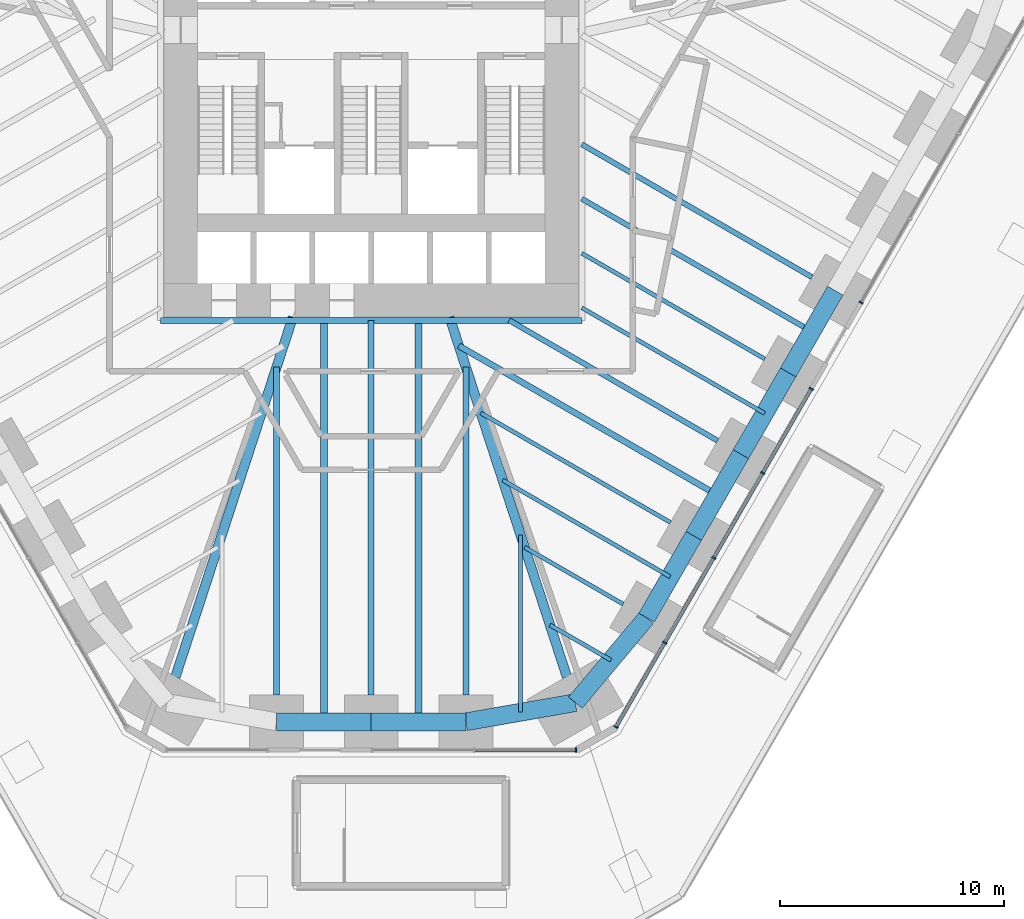
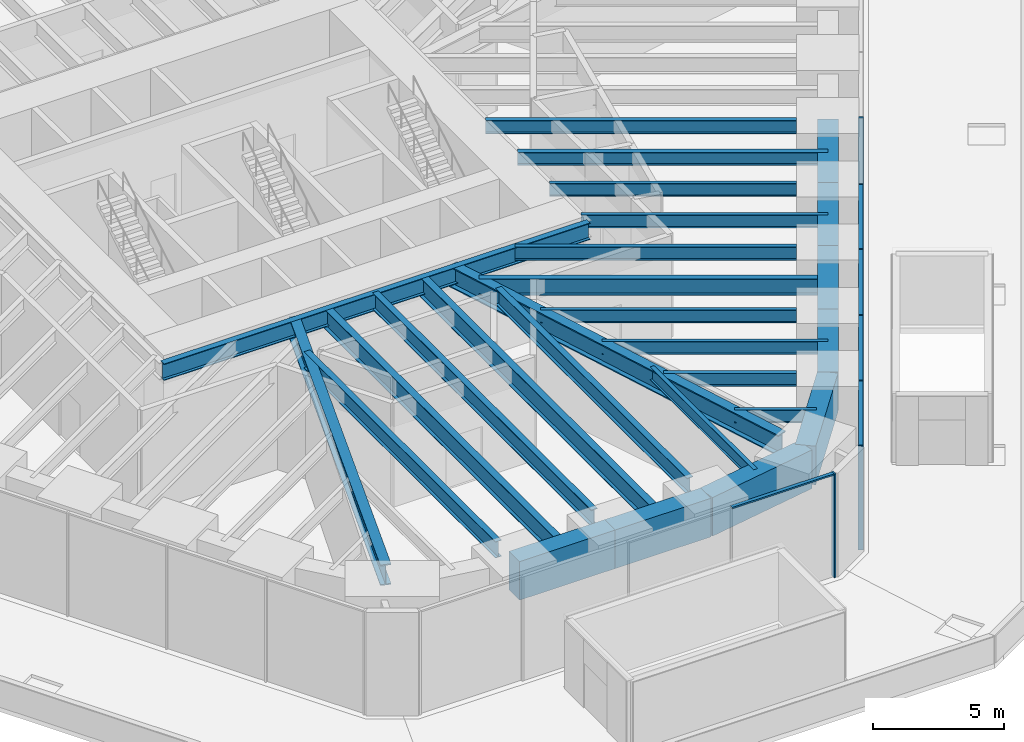
# One storey, part 3 of 20: 27 beams, 12 members, 3 elements without a shape of their own.
"""IFC4 building model written with IfcOpenShell, lengths in metres."""

from ifc_helpers import new_model, si_unit, direction, frame, origin, origin_2d, place, context, subcontext, project, spatial, rectangle, i_section, extrude, material, material_profile, profile_set, type_object, element, aggregate, save


model = new_model("IFC4")

# Units and contexts
model_context = context("Model", 3, precision=1e-05, world=origin(), true_north=direction((0.0, 1.0)))
body_context = subcontext(model_context, "Body", "Model", "MODEL_VIEW")
ifc_project = project(units=[si_unit("LENGTHUNIT", "METRE"), si_unit("AREAUNIT", "SQUARE_METRE"), si_unit("VOLUMEUNIT", "CUBIC_METRE"), si_unit("PLANEANGLEUNIT", "RADIAN"), si_unit("MASSUNIT", "GRAM", prefix="KILO")], contexts=[model_context])

# Site, building, storey
site_placement = place(None, origin())
site = spatial("IfcSite", under=ifc_project, at=site_placement, CompositionType="ELEMENT")
building_placement = place(site_placement, origin())
building = spatial("IfcBuilding", under=site, at=building_placement, Name="Sandreach Pilgrim Tower", CompositionType="ELEMENT")
storey_placement = place(building_placement, frame((0.0, 0.0, 18.0)))
storey = spatial("IfcBuildingStorey", under=building, at=storey_placement, Name="L03", CompositionType="ELEMENT", Elevation=18.0)

# Curtain wall, member
ifc_material_1 = material(Name="Aluminium framed curtain wall", Category="aluminium")
curtain_wall_type = type_object("IfcCurtainWallType", Name="Podium storefront curtain wall", PredefinedType="NOTDEFINED", material=ifc_material_1)
curtain_wall_1_placement = place(storey_placement, origin())
curtain_wall_1 = element("IfcCurtainWall", 1, at=curtain_wall_1_placement, inside=storey, type_object=curtain_wall_type, Name="CW-P L03 SEA", PredefinedType="NOTDEFINED")
ifc_material_2 = material(Name="Aluminium extrusion", Category="aluminium")
ifc_material_profile_1 = material_profile(ifc_material_2, rectangle(XDim=0.070068359375, YDim=0.199951171875, at=origin_2d()), Name="CW-PM 70X200")
ifc_profile_set_1 = profile_set([ifc_material_profile_1], Name="Aluminium extrusion")
member_type_1 = type_object("IfcMemberType", Name="CW-P mullion", PredefinedType="MULLION", material=ifc_profile_set_1)
member_1_placement = place(storey_placement, frame((21.8505859375, -10.051025390625, 0.0), z_axis=(0.0, 0.0, 1.0), x_axis=(-0.5, -0.866025403784, 0.0)))
member_1 = element("IfcMember", 2, at=member_1_placement, type_object=member_type_1, Name="CW-P mullion 5", PredefinedType="MULLION", context=body_context, shape_type="SweptSolid", body=[
    extrude(rectangle(XDim=0.070068359375, YDim=0.199951171875, at=origin_2d()), origin(), (0.0, 0.0, 1.0), 4.840087890625),
])
aggregate(curtain_wall_1, [member_1])

# Curtain wall, members
curtain_wall_2_placement = place(storey_placement, origin())
curtain_wall_2 = element("IfcCurtainWall", 3, at=curtain_wall_2_placement, inside=storey, type_object=curtain_wall_type, Name="CW-P L03 SEB", PredefinedType="NOTDEFINED")
member_2_placement = place(storey_placement, frame((19.6298828125, -13.897705078125, 0.0), z_axis=(0.0, 0.0, 1.0), x_axis=(-0.5, -0.866025403784, 0.0)))
member_2 = element("IfcMember", 4, at=member_2_placement, type_object=member_type_1, Name="CW-P mullion 1", PredefinedType="MULLION", context=body_context, shape_type="SweptSolid", body=[
    extrude(rectangle(XDim=0.070068359375, YDim=0.199951171875, at=origin_2d()), origin(), (0.0, 0.0, 1.0), 4.840087890625),
])
member_3_placement = place(storey_placement, frame((17.46142578125, -17.6533203125, 0.0), z_axis=(0.0, 0.0, 1.0), x_axis=(-0.5, -0.866025403784, 0.0)))
member_3 = element("IfcMember", 5, at=member_3_placement, type_object=member_type_1, Name="CW-P mullion 2", PredefinedType="MULLION", context=body_context, shape_type="SweptSolid", body=[
    extrude(rectangle(XDim=0.070068359375, YDim=0.199951171875, at=origin_2d()), origin(), (0.0, 0.0, 1.0), 4.840087890625),
])
member_4_placement = place(storey_placement, frame((15.275634765625, -21.439208984375, 0.0), z_axis=(0.0, 0.0, 1.0), x_axis=(-0.5, -0.866025403784, 0.0)))
member_4 = element("IfcMember", 6, at=member_4_placement, type_object=member_type_1, Name="CW-P mullion 3", PredefinedType="MULLION", context=body_context, shape_type="SweptSolid", body=[
    extrude(rectangle(XDim=0.070068359375, YDim=0.199951171875, at=origin_2d()), origin(), (0.0, 0.0, 1.0), 4.840087890625),
])
member_5_placement = place(storey_placement, frame((13.08984375, -25.22509765625, 0.0), z_axis=(0.0, 0.0, 1.0), x_axis=(-0.5, -0.866025403784, 0.0)))
member_5 = element("IfcMember", 7, at=member_5_placement, type_object=member_type_1, Name="CW-P mullion 4", PredefinedType="MULLION", context=body_context, shape_type="SweptSolid", body=[
    extrude(rectangle(XDim=0.070068359375, YDim=0.199951171875, at=origin_2d()), origin(), (0.0, 0.0, 1.0), 4.840087890625),
])
member_6_placement = place(storey_placement, frame((10.921630859375, -28.98046875, 0.0), z_axis=(0.0, 0.0, 1.0), x_axis=(-0.5, -0.866025403784, 0.0)))
member_6 = element("IfcMember", 8, at=member_6_placement, type_object=member_type_1, Name="CW-P mullion 5", PredefinedType="MULLION", context=body_context, shape_type="SweptSolid", body=[
    extrude(rectangle(XDim=0.070068359375, YDim=0.199951171875, at=origin_2d()), origin(), (0.0, 0.0, 1.0), 4.840087890625),
])

# Curtain wall, member
curtain_wall_3_placement = place(storey_placement, origin())
curtain_wall_3 = element("IfcCurtainWall", 9, at=curtain_wall_3_placement, inside=storey, type_object=curtain_wall_type, Name="CW-P L03 SA", PredefinedType="NOTDEFINED")
member_7_placement = place(storey_placement, frame((9.13720703125, -30.010986328125, 0.0), z_axis=(0.0, 0.0, 1.0), x_axis=(-1.0, 0.0, 0.0)))
member_7 = element("IfcMember", 10, at=member_7_placement, type_object=member_type_1, Name="CW-P mullion 1", PredefinedType="MULLION", context=body_context, shape_type="SweptSolid", body=[
    extrude(rectangle(XDim=0.070068359375, YDim=0.199951171875, at=origin_2d()), origin(), (0.0, 0.0, 1.0), 4.840087890625),
])

# Member
ifc_material_3 = material(Name="Aluminium extrusion", Category="aluminium")
ifc_material_profile_2 = material_profile(ifc_material_3, rectangle(XDim=0.159912109375, YDim=0.070068359375, at=origin_2d()), Name="CW-PT 160X70")
ifc_profile_set_2 = profile_set([ifc_material_profile_2], Name="Aluminium extrusion")
member_type_2 = type_object("IfcMemberType", Name="CW-P transom", PredefinedType="USERDEFINED", material=ifc_profile_set_2)
member_8_placement = place(storey_placement, frame((19.6123046875, -13.927978515625, 4.804931640625), z_axis=(-0.500016352561, -0.866015962423, 0.0), x_axis=(0.866015962423, -0.500016352561, 0.0)))
member_8 = element("IfcMember", 11, at=member_8_placement, type_object=member_type_2, Name="CW-P head transom 1", ObjectType="TRANSOM", PredefinedType="USERDEFINED", context=body_context, shape_type="SweptSolid", body=[
    extrude(rectangle(XDim=0.159912109375, YDim=0.070068359375, at=origin_2d()), origin(), (0.0, 0.0, 1.0), 4.266357421875),
])

member_9_placement = place(storey_placement, frame((17.444091796875, -17.68359375, 4.804931640625), z_axis=(-0.500033611107, -0.866005997533, 0.0), x_axis=(0.866005997533, -0.500033611107, 0.0)))
member_9 = element("IfcMember", 12, at=member_9_placement, type_object=member_type_2, Name="CW-P head transom 2", ObjectType="TRANSOM", PredefinedType="USERDEFINED", context=body_context, shape_type="SweptSolid", body=[
    extrude(rectangle(XDim=0.159912109375, YDim=0.070068359375, at=origin_2d()), origin(), (0.0, 0.0, 1.0), 4.301513671875),
])

member_10_placement = place(storey_placement, frame((15.25830078125, -21.469482421875, 4.804931640625), z_axis=(-0.500033611107, -0.866005997533, 0.0), x_axis=(0.866005997533, -0.500033611107, 0.0)))
member_10 = element("IfcMember", 13, at=member_10_placement, type_object=member_type_2, Name="CW-P head transom 3", ObjectType="TRANSOM", PredefinedType="USERDEFINED", context=body_context, shape_type="SweptSolid", body=[
    extrude(rectangle(XDim=0.159912109375, YDim=0.070068359375, at=origin_2d()), origin(), (0.0, 0.0, 1.0), 4.301513671875),
])

member_11_placement = place(storey_placement, frame((13.072509765625, -25.25537109375, 4.804931640625), z_axis=(-0.500016352561, -0.866015962423, 0.0), x_axis=(0.866015962423, -0.500016352561, 0.0)))
member_11 = element("IfcMember", 14, at=member_11_placement, type_object=member_type_2, Name="CW-P head transom 4", ObjectType="TRANSOM", PredefinedType="USERDEFINED", context=body_context, shape_type="SweptSolid", body=[
    extrude(rectangle(XDim=0.159912109375, YDim=0.070068359375, at=origin_2d()), origin(), (0.0, 0.0, 1.0), 4.266357421875),
])

aggregate(curtain_wall_2, [member_2, member_3, member_4, member_5, member_6, member_8, member_9, member_10, member_11])

member_12_placement = place(storey_placement, frame((9.10205078125, -30.010986328125, 4.804931640625), z_axis=(-1.0, 0.0, 0.0), x_axis=(0.0, -1.0, 0.0)))
member_12 = element("IfcMember", 15, at=member_12_placement, type_object=member_type_2, Name="CW-P head transom 1", ObjectType="TRANSOM", PredefinedType="USERDEFINED", context=body_context, shape_type="SweptSolid", body=[
    extrude(rectangle(XDim=0.159912109375, YDim=0.070068359375, at=origin_2d()), origin(), (0.0, 0.0, 1.0), 4.48095703125),
])

aggregate(curtain_wall_3, [member_7, member_12])

# Beams
ifc_material_4 = material(Name="Steel ASTM A992 Grade 50", Category="steel")
ifc_material_profile_3 = material_profile(ifc_material_4, i_section(OverallWidth=0.2666015625, OverallDepth=0.77978515625, WebThickness=0.0166015625, FlangeThickness=0.030029296875, at=origin_2d()), Name="W30X148")
ifc_profile_set_3 = profile_set([ifc_material_profile_3], Name="Steel ASTM A992 Grade 50")
beam_type_1 = type_object("IfcBeamType", Name="Core edge beam W30X148", PredefinedType="BEAM", material=ifc_profile_set_3)
beam_1_placement = place(storey_placement, frame((9.393310546875, -10.84326171875, 4.4501953125), z_axis=(-1.0, 0.0, 0.0), x_axis=(0.0, -1.0, 0.0)))
element("IfcBeam", 16, at=beam_1_placement, inside=storey, type_object=beam_type_1, Name="BM L03 CES", PredefinedType="BEAM", context=body_context, shape_type="SweptSolid", body=[
    extrude(i_section(OverallWidth=0.2666015625, OverallDepth=0.77978515625, WebThickness=0.0166015625, FlangeThickness=0.030029296875, at=origin_2d()), origin(), (0.0, 0.0, 1.0), 18.78662109375),
])
ifc_material_5 = material(Name="Steel ASTM A992 Grade 50", Category="steel")
ifc_material_profile_4 = material_profile(ifc_material_5, i_section(OverallWidth=0.424072265625, OverallDepth=0.965087890625, WebThickness=0.028564453125, FlangeThickness=0.051025390625, at=origin_2d()), Name="W36X361")
ifc_profile_set_4 = profile_set([ifc_material_profile_4], Name="Steel ASTM A992 Grade 50")
beam_type_2 = type_object("IfcBeamType", Name="Corner girder W36X361", PredefinedType="BEAM", material=ifc_profile_set_4)
for number, where, z_axis, x_axis, name in (
    (17, (8.73388671875, -26.756103515625, 4.357421875), (-0.310315410754, 0.950633654911, 0.0), (-0.950633654911, -0.310315410754, 0.0), "BM L03 CG22"),
    (18, (-8.73388671875, -26.756103515625, 4.357421875), (0.310315410754, 0.950633654911, 0.0), (-0.950633654911, 0.310315410754, 0.0), "BM L03 CG26"),
):
    element("IfcBeam", number, at=place(storey_placement, frame(where, z_axis=z_axis, x_axis=x_axis)), inside=storey, type_object=beam_type_2, Name=name, PredefinedType="BEAM", context=body_context, shape_type="SweptSolid", body=[
        extrude(i_section(OverallWidth=0.424072265625, OverallDepth=0.965087890625, WebThickness=0.028564453125, FlangeThickness=0.051025390625, at=origin_2d()), origin(), (0.0, 0.0, 1.0), 16.889892578125),
    ])
ifc_material_6 = material(Name="Steel ASTM A992 Grade 50", Category="steel")
ifc_material_profile_5 = material_profile(ifc_material_6, i_section(OverallWidth=0.1787109375, OverallDepth=0.60205078125, WebThickness=0.010986328125, FlangeThickness=0.014892578125, at=origin_2d()), Name="W24X62")
ifc_profile_set_5 = profile_set([ifc_material_profile_5], Name="Steel ASTM A992 Grade 50")
beam_type_3 = type_object("IfcBeamType", Name="Floor beam W24X62", PredefinedType="BEAM", material=ifc_profile_set_5)
beam_2_placement = place(storey_placement, frame((17.557373046875, -12.5673828125, 4.5390625), z_axis=(-0.866020839647, 0.500007905235, 0.0), x_axis=(-0.500007905235, -0.866020839647, 0.0)))
element("IfcBeam", 19, at=beam_2_placement, inside=storey, type_object=beam_type_3, Name="BM L03 F18", PredefinedType="BEAM", context=body_context, shape_type="SweptSolid", body=[
    extrude(i_section(OverallWidth=0.1787109375, OverallDepth=0.60205078125, WebThickness=0.010986328125, FlangeThickness=0.014892578125, at=origin_2d()), origin(), (0.0, 0.0, 1.0), 9.427001953125),
])
beam_3_placement = place(storey_placement, frame((13.347412109375, -19.859130859375, 4.5390625), z_axis=(-0.866025751498, 0.499999397742, 0.0), x_axis=(-0.499999397742, -0.866025751498, 0.0)))
element("IfcBeam", 20, at=beam_3_placement, inside=storey, type_object=beam_type_3, Name="BM L03 F20", PredefinedType="BEAM", context=body_context, shape_type="SweptSolid", body=[
    extrude(i_section(OverallWidth=0.1787109375, OverallDepth=0.60205078125, WebThickness=0.010986328125, FlangeThickness=0.014892578125, at=origin_2d()), origin(), (0.0, 0.0, 1.0), 9.767578125),
])
beam_4_placement = place(storey_placement, frame((11.242431640625, -23.5048828125, 4.5390625), z_axis=(-0.866027897259, 0.49999568115, 0.0), x_axis=(-0.49999568115, -0.866027897259, 0.0)))
element("IfcBeam", 21, at=beam_4_placement, inside=storey, type_object=beam_type_3, Name="BM L03 F21", PredefinedType="BEAM", context=body_context, shape_type="SweptSolid", body=[
    extrude(i_section(OverallWidth=0.1787109375, OverallDepth=0.60205078125, WebThickness=0.010986328125, FlangeThickness=0.014892578125, at=origin_2d()), origin(), (0.0, 0.0, 1.0), 5.0791015625),
])
beam_5_placement = place(storey_placement, frame((17.5439453125, -14.990234375, 4.5390625), z_axis=(-0.86602359238, 0.500003137431, 0.0), x_axis=(-0.500003137431, -0.86602359238, 0.0)))
element("IfcBeam", 22, at=beam_5_placement, inside=storey, type_object=beam_type_3, Name="BM L03 FM18", PredefinedType="BEAM", context=body_context, shape_type="SweptSolid", body=[
    extrude(i_section(OverallWidth=0.1787109375, OverallDepth=0.60205078125, WebThickness=0.010986328125, FlangeThickness=0.014892578125, at=origin_2d()), origin(), (0.0, 0.0, 1.0), 9.41162109375),
])
beam_6_placement = place(storey_placement, frame((13.334228515625, -22.281982421875, 4.5390625), z_axis=(-0.86602717807, 0.499996926835, 0.0), x_axis=(-0.499996926835, -0.86602717807, 0.0)))
element("IfcBeam", 23, at=beam_6_placement, inside=storey, type_object=beam_type_3, Name="BM L03 FM20", PredefinedType="BEAM", context=body_context, shape_type="SweptSolid", body=[
    extrude(i_section(OverallWidth=0.1787109375, OverallDepth=0.60205078125, WebThickness=0.010986328125, FlangeThickness=0.014892578125, at=origin_2d()), origin(), (0.0, 0.0, 1.0), 8.62353515625),
])
beam_7_placement = place(storey_placement, frame((10.694091796875, -26.0009765625, 4.5390625), z_axis=(-0.866023718453, 0.500002919068, 0.0), x_axis=(-0.500002919068, -0.866023718453, 0.0)))
element("IfcBeam", 24, at=beam_7_placement, inside=storey, type_object=beam_type_3, Name="BM L03 FM21", PredefinedType="BEAM", context=body_context, shape_type="SweptSolid", body=[
    extrude(i_section(OverallWidth=0.1787109375, OverallDepth=0.60205078125, WebThickness=0.010986328125, FlangeThickness=0.014892578125, at=origin_2d()), origin(), (0.0, 0.0, 1.0), 3.1396484375),
])
beam_8_placement = place(storey_placement, frame((6.664306640625, -28.323974609375, 4.5390625), z_axis=(0.0, 1.0, 0.0), x_axis=(-1.0, 0.0, 0.0)))
element("IfcBeam", 25, at=beam_8_placement, inside=storey, type_object=beam_type_3, Name="BM L03 FM22", PredefinedType="BEAM", context=body_context, shape_type="SweptSolid", body=[
    extrude(i_section(OverallWidth=0.1787109375, OverallDepth=0.60205078125, WebThickness=0.010986328125, FlangeThickness=0.014892578125, at=origin_2d()), origin(), (0.0, 0.0, 1.0), 7.907958984375),
])
ifc_material_7 = material(Name="Steel ASTM A992 Grade 50", Category="steel")
ifc_material_profile_6 = material_profile(ifc_material_7, i_section(OverallWidth=0.23046875, OverallDepth=0.6171875, WebThickness=0.01318359375, FlangeThickness=0.022216796875, at=origin_2d()), Name="W24X94")
ifc_profile_set_6 = profile_set([ifc_material_profile_6], Name="Steel ASTM A992 Grade 50")
beam_type_4 = type_object("IfcBeamType", Name="Floor beam W24X94", PredefinedType="BEAM", material=ifc_profile_set_6)
beam_9_placement = place(storey_placement, frame((19.662353515625, -8.92138671875, 4.531494140625), z_axis=(-0.866029924088, 0.499992170523, 0.0), x_axis=(-0.499992170523, -0.866029924088, 0.0)))
element("IfcBeam", 26, at=beam_9_placement, inside=storey, type_object=beam_type_4, Name="BM L03 F17", PredefinedType="BEAM", context=body_context, shape_type="SweptSolid", body=[
    extrude(i_section(OverallWidth=0.23046875, OverallDepth=0.6171875, WebThickness=0.01318359375, FlangeThickness=0.022216796875, at=origin_2d()), origin(), (0.0, 0.0, 1.0), 11.857666015625),
])
beam_10_placement = place(storey_placement, frame((15.452392578125, -16.213134765625, 4.531494140625), z_axis=(-0.866028486751, 0.499994660107, 0.0), x_axis=(-0.499994660107, -0.866028486751, 0.0)))
element("IfcBeam", 27, at=beam_10_placement, inside=storey, type_object=beam_type_4, Name="BM L03 F19", PredefinedType="BEAM", context=body_context, shape_type="SweptSolid", body=[
    extrude(i_section(OverallWidth=0.23046875, OverallDepth=0.6171875, WebThickness=0.01318359375, FlangeThickness=0.022216796875, at=origin_2d()), origin(), (0.0, 0.0, 1.0), 10.73974609375),
])
beam_11_placement = place(storey_placement, frame((19.64892578125, -11.34423828125, 4.531494140625), z_axis=(-0.866032123691, 0.4999883606, 0.0), x_axis=(-0.4999883606, -0.866032123691, 0.0)))
element("IfcBeam", 28, at=beam_11_placement, inside=storey, type_object=beam_type_4, Name="BM L03 FM17", PredefinedType="BEAM", context=body_context, shape_type="SweptSolid", body=[
    extrude(i_section(OverallWidth=0.23046875, OverallDepth=0.6171875, WebThickness=0.01318359375, FlangeThickness=0.022216796875, at=origin_2d()), origin(), (0.0, 0.0, 1.0), 11.842041015625),
])
ifc_material_8 = material(Name="Steel ASTM A992 Grade 50", Category="steel")
ifc_material_profile_7 = material_profile(ifc_material_8, i_section(OverallWidth=0.2666015625, OverallDepth=0.761962890625, WebThickness=0.014404296875, FlangeThickness=0.021484375, at=origin_2d()), Name="W30X116")
ifc_profile_set_7 = profile_set([ifc_material_profile_7], Name="Steel ASTM A992 Grade 50")
beam_type_5 = type_object("IfcBeamType", Name="Floor beam W30X116", PredefinedType="BEAM", material=ifc_profile_set_7)
for number, where, z_axis, x_axis, name in (
    (29, (4.222412109375, -27.55078125, 4.458984375), (0.0, 1.0, 0.0), (-1.0, 0.0, 0.0), "BM L03 F23"),
    (30, (-4.222412109375, -27.55078125, 4.458984375), (0.0, 1.0, 0.0), (-1.0, 0.0, 0.0), "BM L03 F25"),
):
    element("IfcBeam", number, at=place(storey_placement, frame(where, z_axis=z_axis, x_axis=x_axis)), inside=storey, type_object=beam_type_5, Name=name, PredefinedType="BEAM", context=body_context, shape_type="SweptSolid", body=[
        extrude(i_section(OverallWidth=0.2666015625, OverallDepth=0.761962890625, WebThickness=0.014404296875, FlangeThickness=0.021484375, at=origin_2d()), origin(), (0.0, 0.0, 1.0), 14.61572265625),
    ])
beam_12_placement = place(storey_placement, frame((15.43896484375, -18.63623046875, 4.458984375), z_axis=(-0.866021271874, 0.50000715661, 0.0), x_axis=(-0.50000715661, -0.866021271874, 0.0)))
element("IfcBeam", 31, at=beam_12_placement, inside=storey, type_object=beam_type_5, Name="BM L03 FM19", PredefinedType="BEAM", context=body_context, shape_type="SweptSolid", body=[
    extrude(i_section(OverallWidth=0.2666015625, OverallDepth=0.761962890625, WebThickness=0.014404296875, FlangeThickness=0.021484375, at=origin_2d()), origin(), (0.0, 0.0, 1.0), 13.311767578125),
])
ifc_material_9 = material(Name="Steel ASTM A992 Grade 50", Category="steel")
ifc_material_profile_8 = material_profile(ifc_material_9, i_section(OverallWidth=0.2666015625, OverallDepth=0.77978515625, WebThickness=0.0166015625, FlangeThickness=0.030029296875, at=origin_2d()), Name="W30X148")
ifc_profile_set_8 = profile_set([ifc_material_profile_8], Name="Steel ASTM A992 Grade 50")
beam_type_6 = type_object("IfcBeamType", Name="Floor beam W30X148", PredefinedType="BEAM", material=ifc_profile_set_8)
beam_13_placement = place(storey_placement, frame((0.0, -27.55078125, 4.4501953125), z_axis=(0.0, 1.0, 0.0), x_axis=(-1.0, 0.0, 0.0)))
element("IfcBeam", 32, at=beam_13_placement, inside=storey, type_object=beam_type_6, Name="BM L03 F24", PredefinedType="BEAM", context=body_context, shape_type="SweptSolid", body=[
    extrude(i_section(OverallWidth=0.2666015625, OverallDepth=0.77978515625, WebThickness=0.0166015625, FlangeThickness=0.030029296875, at=origin_2d()), origin(), (0.0, 0.0, 1.0), 16.70751953125),
])
ifc_material_10 = material(Name="Steel ASTM A992 Grade 50", Category="steel")
ifc_material_profile_9 = material_profile(ifc_material_10, i_section(OverallWidth=0.3046875, OverallDepth=0.914306640625, WebThickness=0.0166015625, FlangeThickness=0.02587890625, at=origin_2d()), Name="W36X160")
ifc_profile_set_9 = profile_set([ifc_material_profile_9], Name="Steel ASTM A992 Grade 50")
beam_type_7 = type_object("IfcBeamType", Name="Floor beam W36X160", PredefinedType="BEAM", material=ifc_profile_set_9)
for number, where, z_axis, x_axis, name in (
    (33, (2.111083984375, -28.7509765625, 4.3828125), (0.0, 1.0, 0.0), (-1.0, 0.0, 0.0), "BM L03 FM23"),
    (34, (-2.111083984375, -28.7509765625, 4.3828125), (0.0, 1.0, 0.0), (-1.0, 0.0, 0.0), "BM L03 FM24"),
):
    element("IfcBeam", number, at=place(storey_placement, frame(where, z_axis=z_axis, x_axis=x_axis)), inside=storey, type_object=beam_type_7, Name=name, PredefinedType="BEAM", context=body_context, shape_type="SweptSolid", body=[
        extrude(i_section(OverallWidth=0.3046875, OverallDepth=0.914306640625, WebThickness=0.0166015625, FlangeThickness=0.02587890625, at=origin_2d()), origin(), (0.0, 0.0, 1.0), 17.90771484375),
    ])
ifc_material_11 = material(Name="Concrete 10000 psi", Category="concrete")
ifc_material_profile_10 = material_profile(ifc_material_11, rectangle(XDim=0.800048828125, YDim=1.800048828125, at=origin_2d()), Name="RC800X1800")
ifc_profile_set_10 = profile_set([ifc_material_profile_10], Name="Concrete 10000 psi")
beam_type_8 = type_object("IfcBeamType", Name="Spandrel beam RC800X1800", PredefinedType="SPANDREL", material=ifc_profile_set_10)
beam_14_placement = place(storey_placement, frame((20.701416015625, -9.521484375, 3.93994140625), z_axis=(-0.50001863446, -0.866014644907, 0.0), x_axis=(0.866014644907, -0.50001863446, 0.0)))
element("IfcBeam", 35, at=beam_14_placement, inside=storey, type_object=beam_type_8, Name="BM L03 SP17", PredefinedType="SPANDREL", context=body_context, shape_type="SweptSolid", body=[
    extrude(rectangle(XDim=0.800048828125, YDim=1.800048828125, at=origin_2d()), origin(), (0.0, 0.0, 1.0), 4.209716796875),
])
beam_15_placement = place(storey_placement, frame((18.596435546875, -13.167236328125, 3.93994140625), z_axis=(-0.499993523031, -0.866029143232, 0.0), x_axis=(0.866029143232, -0.499993523031, 0.0)))
element("IfcBeam", 36, at=beam_15_placement, inside=storey, type_object=beam_type_8, Name="BM L03 SP18", PredefinedType="SPANDREL", context=body_context, shape_type="SweptSolid", body=[
    extrude(rectangle(XDim=0.800048828125, YDim=1.800048828125, at=origin_2d()), origin(), (0.0, 0.0, 1.0), 4.2099609375),
])
beam_16_placement = place(storey_placement, frame((16.491455078125, -16.813232421875, 3.93994140625), z_axis=(-0.499975138639, -0.866039757022, 0.0), x_axis=(0.866039757022, -0.499975138639, 0.0)))
element("IfcBeam", 37, at=beam_16_placement, inside=storey, type_object=beam_type_8, Name="BM L03 SP19", PredefinedType="SPANDREL", context=body_context, shape_type="SweptSolid", body=[
    extrude(rectangle(XDim=0.800048828125, YDim=1.800048828125, at=origin_2d()), origin(), (0.0, 0.0, 1.0), 4.209716796875),
])
beam_17_placement = place(storey_placement, frame((14.38671875, -20.458984375, 3.93994140625), z_axis=(-0.499993523031, -0.866029143232, 0.0), x_axis=(0.866029143232, -0.499993523031, 0.0)))
element("IfcBeam", 38, at=beam_17_placement, inside=storey, type_object=beam_type_8, Name="BM L03 SP20", PredefinedType="SPANDREL", context=body_context, shape_type="SweptSolid", body=[
    extrude(rectangle(XDim=0.800048828125, YDim=1.800048828125, at=origin_2d()), origin(), (0.0, 0.0, 1.0), 4.2099609375),
])
beam_18_placement = place(storey_placement, frame((12.28173828125, -24.10498046875, 3.93994140625), z_axis=(-0.642008193922, -0.766697775488, 0.0), x_axis=(0.766697775488, -0.642008193922, 0.0)))
element("IfcBeam", 39, at=beam_18_placement, inside=storey, type_object=beam_type_8, Name="BM L03 SP21", PredefinedType="SPANDREL", context=body_context, shape_type="SweptSolid", body=[
    extrude(rectangle(XDim=0.800048828125, YDim=1.800048828125, at=origin_2d()), origin(), (0.0, 0.0, 1.0), 4.94580078125),
])
beam_19_placement = place(storey_placement, frame((9.1064453125, -27.89697265625, 3.93994140625), z_axis=(-0.985054495501, -0.17224297052, 0.0), x_axis=(0.17224297052, -0.985054495501, 0.0)))
element("IfcBeam", 40, at=beam_19_placement, inside=storey, type_object=beam_type_8, Name="BM L03 SP22", PredefinedType="SPANDREL", context=body_context, shape_type="SweptSolid", body=[
    extrude(rectangle(XDim=0.800048828125, YDim=1.800048828125, at=origin_2d()), origin(), (0.0, 0.0, 1.0), 4.958251953125),
])
for number, where, z_axis, x_axis, name in (
    (41, (4.222412109375, -28.7509765625, 3.93994140625), (-1.0, 0.0, 0.0), (0.0, -1.0, 0.0), "BM L03 SP23"),
    (42, (0.0, -28.7509765625, 3.93994140625), (-1.0, 0.0, 0.0), (0.0, -1.0, 0.0), "BM L03 SP24"),
):
    element("IfcBeam", number, at=place(storey_placement, frame(where, z_axis=z_axis, x_axis=x_axis)), inside=storey, type_object=beam_type_8, Name=name, PredefinedType="SPANDREL", context=body_context, shape_type="SweptSolid", body=[
        extrude(rectangle(XDim=0.800048828125, YDim=1.800048828125, at=origin_2d()), origin(), (0.0, 0.0, 1.0), 4.222412109375),
    ])

save(model, "model.ifc")
